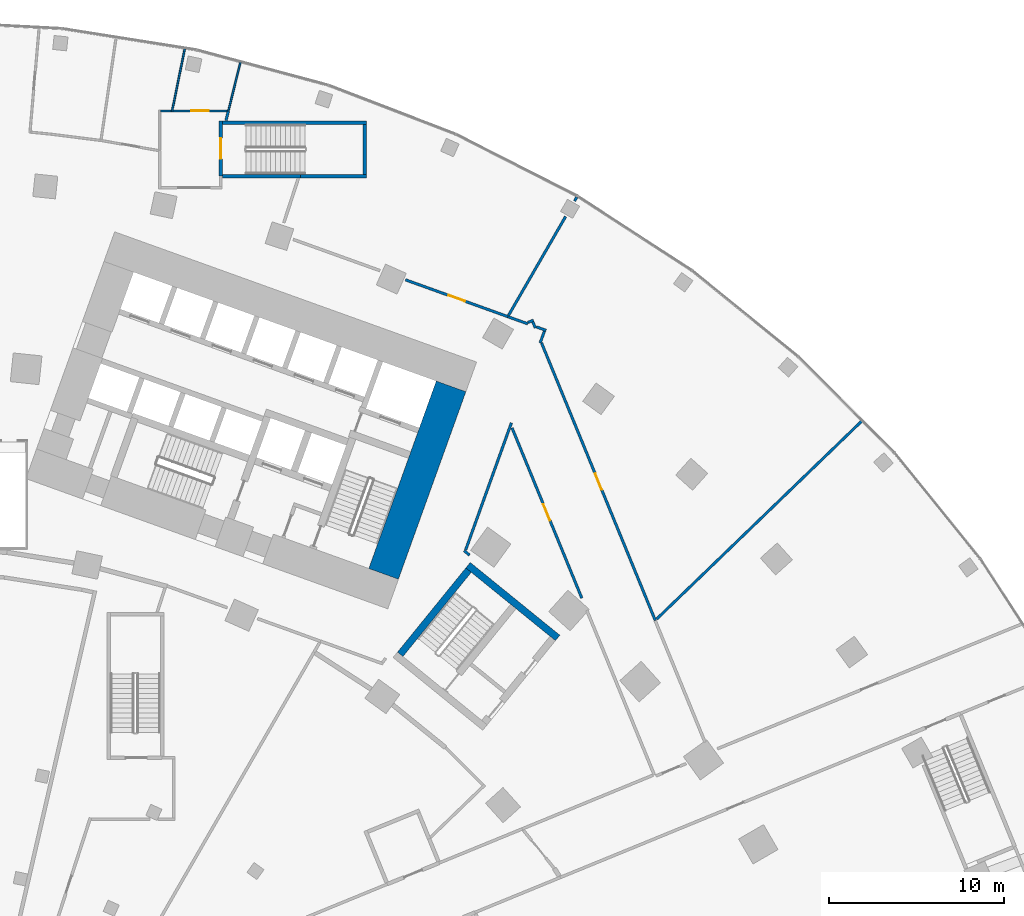
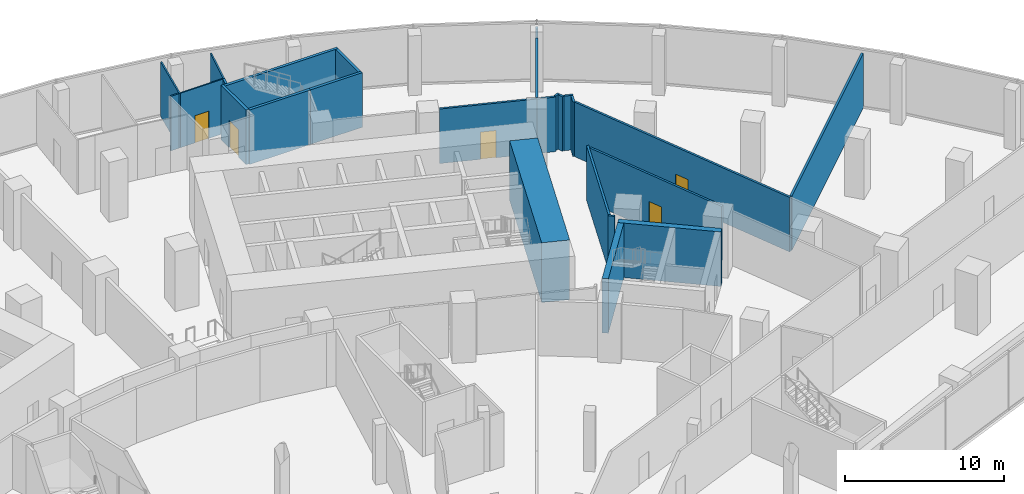
# One storey, part 28 of 40: 26 walls, 5 doors, 5 openings.
"""IFC4 building model written with IfcOpenShell, lengths in metres."""

from ifc_helpers import new_model, si_unit, direction, frame, frame_2d, origin, place, context, subcontext, project, spatial, rectangle, extrude, material, layer, layer_set, type_object, element, fill, save


model = new_model("IFC4")

# Units and contexts
model_context = context("Model", 3, precision=1e-05, world=origin(), true_north=direction((0.0, 1.0)))
body_context = subcontext(model_context, "Body", "Model", "MODEL_VIEW")
ifc_project = project(units=[si_unit("LENGTHUNIT", "METRE"), si_unit("AREAUNIT", "SQUARE_METRE"), si_unit("VOLUMEUNIT", "CUBIC_METRE"), si_unit("PLANEANGLEUNIT", "RADIAN"), si_unit("MASSUNIT", "GRAM", prefix="KILO")], contexts=[model_context])

# Site, building, storey
site_placement = place(None, origin())
site = spatial("IfcSite", under=ifc_project, at=site_placement, CompositionType="ELEMENT")
building_placement = place(site_placement, origin())
building = spatial("IfcBuilding", under=site, at=building_placement, Name="Stone Belt Terrace Tower", CompositionType="ELEMENT")
storey_placement = place(building_placement, frame((0.0, 0.0, 11.60009765625)))
storey = spatial("IfcBuildingStorey", under=building, at=storey_placement, Name="L02", CompositionType="ELEMENT", Elevation=11.60009765625)

# Walls
ifc_material_1 = material(Name="Concrete B80", Category="concrete")
ifc_layer_1 = layer(ifc_material_1, 1.800048828125)
ifc_layer_set_1 = layer_set([ifc_layer_1], Name="Core wall 1800 B80")
wall_type_1 = type_object("IfcWallType", Name="Core wall 1800 B80", PredefinedType="SHEAR", material=ifc_layer_set_1)
wall_1_placement = place(storey_placement, frame((26.197509765625, 42.96728515625, 0.0), z_axis=(0.0, 0.0, 1.0), x_axis=(0.338625431531, 0.940921259788, 0.0)))
element("IfcWall", 1, at=wall_1_placement, inside=storey, type_object=wall_type_1, Name="Core B wall end_b L02", PredefinedType="SHEAR", context=body_context, shape_type="SweptSolid", body=[
    extrude(rectangle(XDim=11.400146484375, YDim=1.800048828125, at=frame_2d((5.7001953125, 0.0))), origin(), (0.0, 0.0, 1.0), 4.599853515625),
])
ifc_material_2 = material(Name="Gypsum board on steel stud partition", Category="steel")
ifc_layer_2 = layer(ifc_material_2, 0.14990234375)
ifc_layer_set_2 = layer_set([ifc_layer_2], Name="Podium partition 150")
wall_type_2 = type_object("IfcWallType", Name="Podium partition 150", PredefinedType="PARTITIONING", material=ifc_layer_set_2)
wall_2_placement = place(storey_placement, frame((17.180419921875, 68.8994140625, 0.0), z_axis=(0.0, 0.0, 1.0), x_axis=(0.245570229012, 0.969378802441, 0.0)))
element("IfcWall", 2, at=wall_2_placement, inside=storey, type_object=wall_type_2, Name="Podium partition 150", PredefinedType="PARTITIONING", context=body_context, shape_type="SweptSolid", body=[
    extrude(rectangle(XDim=0.567626953125, YDim=0.14990234375, at=frame_2d((0.28369140625, 0.0))), origin(), (0.0, 0.0, 1.0), 4.199951171875),
])

# Wall, opening, door
wall_3_placement = place(storey_placement, frame((27.44580078125, 59.7890625, 0.0), z_axis=(0.0, 0.0, 1.0), x_axis=(0.940989746165, -0.338435071487, 0.0)))
wall_3 = element("IfcWall", 3, at=wall_3_placement, inside=storey, type_object=wall_type_2, Name="Podium partition 150", PredefinedType="PARTITIONING", context=body_context, shape_type="SweptSolid", body=[
    extrude(rectangle(XDim=6.23193359375, YDim=0.14990234375, at=frame_2d((3.115966796875, 0.0))), origin(), (0.0, 0.0, 1.0), 4.199951171875),
])
opening_1_placement = place(wall_3_placement, frame((2.615966796875, 0.0, 0.0)))
opening_1 = element("IfcOpeningElement", 4, at=opening_1_placement, cuts=wall_3, Name="Opening L02-P29", PredefinedType="OPENING", context=body_context, shape_type="SweptSolid", body=[
    extrude(rectangle(XDim=1.0, YDim=2.10009765625, at=frame_2d((0.5, 1.050048828125))), frame((0.0, 0.0849609375, 0.0), z_axis=(0.0, -1.0, 0.0), x_axis=(1.0, 0.0, 0.0)), (0.0, 0.0, 1.0), 0.169921875),
])
ifc_material_3 = material(Name="Steel framed door leaf", Category="steel")
door_type_1 = type_object("IfcDoorType", Name="Podium door single 1000", OperationType="SINGLE_SWING_LEFT", PredefinedType="DOOR", material=ifc_material_3)
door_1_placement = place(opening_1_placement, origin())
door_1 = element("IfcDoor", 5, at=door_1_placement, inside=storey, type_object=door_type_1, Name="Podium door single 1000", OperationType="SINGLE_SWING_LEFT", OverallHeight=2.10009765625, OverallWidth=1.0, PredefinedType="DOOR", context=body_context, shape_type="SweptSolid", body=[
    extrude(rectangle(XDim=1.0, YDim=2.10009765625, at=frame_2d((0.5, 1.050048828125))), frame((0.0, 0.02490234375, 0.0), z_axis=(0.0, -1.0, 0.0), x_axis=(1.0, 0.0, 0.0)), (0.0, 0.0, 1.0), 0.050048828125),
])
fill(opening_1, door_1)

# Walls
wall_4_placement = place(storey_placement, frame((30.798828125, 44.301513671875, 0.0), z_axis=(0.0, 0.0, 1.0), x_axis=(0.76570486479, -0.643192086423, 0.0)))
element("IfcWall", 6, at=wall_4_placement, inside=storey, type_object=wall_type_2, Name="Podium partition 150", PredefinedType="PARTITIONING", context=body_context, shape_type="SweptSolid", body=[
    extrude(rectangle(XDim=0.406494140625, YDim=0.14990234375, at=frame_2d((0.203125, 0.0))), origin(), (0.0, 0.0, 1.0), 4.199951171875),
])
wall_5_placement = place(storey_placement, frame((30.893310546875, 44.342041015625, 0.0), z_axis=(0.0, 0.0, 1.0), x_axis=(0.338691469888, 0.940897490817, 0.0)))
element("IfcWall", 7, at=wall_5_placement, inside=storey, type_object=wall_type_2, Name="Podium partition 150", PredefinedType="PARTITIONING", context=body_context, shape_type="SweptSolid", body=[
    extrude(rectangle(XDim=7.719482421875, YDim=0.14990234375, at=frame_2d((3.85986328125, 0.0))), origin(), (0.0, 0.0, 1.0), 4.199951171875),
])
wall_6_placement = place(storey_placement, frame((33.30908203125, 57.6767578125, 0.0), z_axis=(0.0, 0.0, 1.0), x_axis=(0.942129662683, -0.335248711694, 0.0)))
element("IfcWall", 8, at=wall_6_placement, inside=storey, type_object=wall_type_2, Name="Podium partition 150", PredefinedType="PARTITIONING", context=body_context, shape_type="SweptSolid", body=[
    extrude(rectangle(XDim=1.208984375, YDim=0.14990234375, at=frame_2d((0.6044921875, 0.0))), origin(), (0.0, 0.0, 1.0), 4.199951171875),
])
wall_7_placement = place(storey_placement, frame((33.34521484375, 57.75830078125, 0.0), z_axis=(0.0, 0.0, 1.0), x_axis=(0.500090579836, 0.865973101175, 0.0)))
element("IfcWall", 9, at=wall_7_placement, inside=storey, type_object=wall_type_2, Name="Podium partition 150", PredefinedType="PARTITIONING", context=body_context, shape_type="SweptSolid", body=[
    extrude(rectangle(XDim=6.525146484375, YDim=0.14990234375, at=frame_2d((3.2626953125, 0.0))), origin(), (0.0, 0.0, 1.0), 4.199951171875),
])
wall_8_placement = place(storey_placement, frame((37.118408203125, 64.292236328125, 0.0), z_axis=(0.0, 0.0, 1.0), x_axis=(0.5002312107, 0.865891873066, 0.0)))
element("IfcWall", 10, at=wall_8_placement, inside=storey, type_object=wall_type_2, Name="Podium partition 150", PredefinedType="PARTITIONING", context=body_context, shape_type="SweptSolid", body=[
    extrude(rectangle(XDim=0.26318359375, YDim=0.14990234375, at=frame_2d((0.131591796875, 0.0))), origin(), (0.0, 0.0, 1.0), 4.199951171875),
])

# Wall, opening, door
wall_9_placement = place(storey_placement, frame((33.54345703125, 51.320556640625, 0.0), z_axis=(0.0, 0.0, 1.0), x_axis=(0.379280396549, -0.925281784536, 0.0)))
wall_9 = element("IfcWall", 11, at=wall_9_placement, inside=storey, type_object=wall_type_2, Name="Podium partition 150", PredefinedType="PARTITIONING", context=body_context, shape_type="SweptSolid", body=[
    extrude(rectangle(XDim=10.5244140625, YDim=0.14990234375, at=frame_2d((5.26220703125, 0.0))), origin(), (0.0, 0.0, 1.0), 4.199951171875),
])
opening_2_placement = place(wall_9_placement, frame((4.72119140625, 0.0, 0.0)))
opening_2 = element("IfcOpeningElement", 12, at=opening_2_placement, cuts=wall_9, Name="Opening L02-P32", PredefinedType="OPENING", context=body_context, shape_type="SweptSolid", body=[
    extrude(rectangle(XDim=1.0, YDim=2.10009765625, at=frame_2d((0.5, 1.050048828125))), frame((0.0, 0.0849609375, 0.0), z_axis=(0.0, -1.0, 0.0), x_axis=(1.0, 0.0, 0.0)), (0.0, 0.0, 1.0), 0.169921875),
])
door_2_placement = place(opening_2_placement, origin())
door_2 = element("IfcDoor", 13, at=door_2_placement, inside=storey, type_object=door_type_1, Name="Podium door single 1000", OperationType="SINGLE_SWING_RIGHT", OverallHeight=2.10009765625, OverallWidth=1.0, PredefinedType="DOOR", context=body_context, shape_type="SweptSolid", body=[
    extrude(rectangle(XDim=1.0, YDim=2.10009765625, at=frame_2d((0.5, 1.050048828125))), frame((0.0, 0.02490234375, 0.0), z_axis=(0.0, -1.0, 0.0), x_axis=(1.0, 0.0, 0.0)), (0.0, 0.0, 1.0), 0.050048828125),
])
fill(opening_2, door_2)

# Walls
wall_10_placement = place(storey_placement, frame((34.447021484375, 57.3515625, 0.0), z_axis=(0.0, 0.0, 1.0), x_axis=(0.931885652145, 0.3627521624, 0.0)))
element("IfcWall", 14, at=wall_10_placement, inside=storey, type_object=wall_type_2, Name="Podium partition 150", PredefinedType="PARTITIONING", context=body_context, shape_type="SweptSolid", body=[
    extrude(rectangle(XDim=0.3466796875, YDim=0.14990234375, at=frame_2d((0.17333984375, 0.0))), origin(), (0.0, 0.0, 1.0), 4.199951171875),
])
wall_11_placement = place(storey_placement, frame((34.72998046875, 57.381103515625, 0.0), z_axis=(0.0, 0.0, 1.0), x_axis=(0.401395188733, -0.915904963663, 0.0)))
element("IfcWall", 15, at=wall_11_placement, inside=storey, type_object=wall_type_2, Name="Podium partition 150", PredefinedType="PARTITIONING", context=body_context, shape_type="SweptSolid", body=[
    extrude(rectangle(XDim=0.377685546875, YDim=0.14990234375, at=frame_2d((0.18896484375, 0.0))), origin(), (0.0, 0.0, 1.0), 4.199951171875),
])
wall_12_placement = place(storey_placement, frame((34.937255859375, 57.0947265625, 0.0), z_axis=(0.0, 0.0, 1.0), x_axis=(0.940325382073, -0.340276616637, 0.0)))
element("IfcWall", 16, at=wall_12_placement, inside=storey, type_object=wall_type_2, Name="Podium partition 150", PredefinedType="PARTITIONING", context=body_context, shape_type="SweptSolid", body=[
    extrude(rectangle(XDim=0.58837890625, YDim=0.14990234375, at=frame_2d((0.294189453125, 0.0))), origin(), (0.0, 0.0, 1.0), 4.199951171875),
])
wall_13_placement = place(storey_placement, frame((35.152099609375, 56.174560546875, 0.0), z_axis=(0.0, 0.0, 1.0), x_axis=(0.338104492139, 0.941108576305, 0.0)))
element("IfcWall", 17, at=wall_13_placement, inside=storey, type_object=wall_type_2, Name="Podium partition 150", PredefinedType="PARTITIONING", context=body_context, shape_type="SweptSolid", body=[
    extrude(rectangle(XDim=0.717041015625, YDim=0.14990234375, at=frame_2d((0.3583984375, 0.0))), origin(), (0.0, 0.0, 1.0), 4.199951171875),
])

# Wall, opening, door
wall_14_placement = place(storey_placement, frame((35.232421875, 56.176513671875, 0.0), z_axis=(0.0, 0.0, 1.0), x_axis=(0.379264358006, -0.9252883587, 0.0)))
wall_14 = element("IfcWall", 18, at=wall_14_placement, inside=storey, type_object=wall_type_2, Name="Podium partition 150", PredefinedType="PARTITIONING", context=body_context, shape_type="SweptSolid", body=[
    extrude(rectangle(XDim=17.158447265625, YDim=0.14990234375, at=frame_2d((8.5791015625, 0.0))), origin(), (0.0, 0.0, 1.0), 4.199951171875),
])
opening_3_placement = place(wall_14_placement, frame((8.0791015625, 0.0, 0.0)))
opening_3 = element("IfcOpeningElement", 19, at=opening_3_placement, cuts=wall_14, Name="Opening L02-P30", PredefinedType="OPENING", context=body_context, shape_type="SweptSolid", body=[
    extrude(rectangle(XDim=1.0, YDim=2.10009765625, at=frame_2d((0.5, 1.050048828125))), frame((0.0, 0.0849609375, 0.0), z_axis=(0.0, -1.0, 0.0), x_axis=(1.0, 0.0, 0.0)), (0.0, 0.0, 1.0), 0.169921875),
])
door_3_placement = place(opening_3_placement, origin())
door_3 = element("IfcDoor", 20, at=door_3_placement, inside=storey, type_object=door_type_1, Name="Podium door single 1000", OperationType="SINGLE_SWING_RIGHT", OverallHeight=2.10009765625, OverallWidth=1.0, PredefinedType="DOOR", context=body_context, shape_type="SweptSolid", body=[
    extrude(rectangle(XDim=1.0, YDim=2.10009765625, at=frame_2d((0.5, 1.050048828125))), frame((0.0, 0.02490234375, 0.0), z_axis=(0.0, -1.0, 0.0), x_axis=(1.0, 0.0, 0.0)), (0.0, 0.0, 1.0), 0.050048828125),
])
fill(opening_3, door_3)

# Wall
wall_15_placement = place(storey_placement, frame((41.81689453125, 40.3837890625, 0.0), z_axis=(0.0, 0.0, 1.0), x_axis=(0.719496813164, 0.694495742137, 0.0)))
element("IfcWall", 21, at=wall_15_placement, inside=storey, type_object=wall_type_2, Name="Podium partition 150", PredefinedType="PARTITIONING", context=body_context, shape_type="SweptSolid", body=[
    extrude(rectangle(XDim=16.366455078125, YDim=0.14990234375, at=frame_2d((8.18310546875, 0.0))), origin(), (0.0, 0.0, 1.0), 4.199951171875),
])

# Wall, opening, door
ifc_material_4 = material(Name="Concrete B30", Category="concrete")
ifc_layer_3 = layer(ifc_material_4, 0.199951171875)
ifc_layer_set_3 = layer_set([ifc_layer_3], Name="Podium stair and shaft wall 200")
wall_type_3 = type_object("IfcWallType", Name="Podium stair and shaft wall 200", PredefinedType="SOLIDWALL", material=ifc_layer_set_3)
wall_16_placement = place(storey_placement, frame((16.889892578125, 65.719970703125, 0.0), z_axis=(0.0, 0.0, 1.0), x_axis=(0.0, 1.0, 0.0)))
wall_16 = element("IfcWall", 22, at=wall_16_placement, inside=storey, type_object=wall_type_3, Name="Podium stair and shaft wall 200", PredefinedType="SOLIDWALL", context=body_context, shape_type="SweptSolid", body=[
    extrude(rectangle(XDim=3.159912109375, YDim=0.199951171875, at=frame_2d((1.580078125, 0.0))), origin(), (0.0, 0.0, 1.0), 4.199951171875),
])
opening_4_placement = place(wall_16_placement, frame((0.97998046875, 0.0, 0.0)))
opening_4 = element("IfcOpeningElement", 23, at=opening_4_placement, cuts=wall_16, Name="Opening L02-P08", PredefinedType="OPENING", context=body_context, shape_type="SweptSolid", body=[
    extrude(rectangle(XDim=1.199951171875, YDim=2.10009765625, at=frame_2d((0.60009765625, 1.050048828125))), frame((0.0, 0.10986328125, 0.0), z_axis=(0.0, -1.0, 0.0), x_axis=(1.0, 0.0, 0.0)), (0.0, 0.0, 1.0), 0.219970703125),
])
door_type_2 = type_object("IfcDoorType", Name="Podium door fire stair 1200", OperationType="SINGLE_SWING_LEFT", PredefinedType="DOOR", material=ifc_material_3)
door_4_placement = place(opening_4_placement, origin())
door_4 = element("IfcDoor", 24, at=door_4_placement, inside=storey, type_object=door_type_2, Name="Podium door fire stair 1200", OperationType="SINGLE_SWING_RIGHT", OverallHeight=2.10009765625, OverallWidth=1.199951171875, PredefinedType="DOOR", context=body_context, shape_type="SweptSolid", body=[
    extrude(rectangle(XDim=1.199951171875, YDim=2.10009765625, at=frame_2d((0.60009765625, 1.050048828125))), frame((0.0, 0.02490234375, 0.0), z_axis=(0.0, -1.0, 0.0), x_axis=(1.0, 0.0, 0.0)), (0.0, 0.0, 1.0), 0.050048828125),
])
fill(opening_4, door_4)

# Walls
wall_17_placement = place(storey_placement, frame((16.989990234375, 65.719970703125, 0.0), z_axis=(0.0, 0.0, 1.0), x_axis=(1.0, 0.0, 0.0)))
element("IfcWall", 25, at=wall_17_placement, inside=storey, type_object=wall_type_3, Name="Podium stair and shaft wall 200", PredefinedType="SOLIDWALL", context=body_context, shape_type="SweptSolid", body=[
    extrude(rectangle(XDim=4.448974609375, YDim=0.199951171875, at=frame_2d((2.224609375, 0.0))), origin(), (0.0, 0.0, 1.0), 4.199951171875),
])
wall_18_placement = place(storey_placement, frame((16.991943359375, 68.780029296875, 0.0), z_axis=(0.0, 0.0, 1.0), x_axis=(1.0, 0.0, 0.0)))
element("IfcWall", 26, at=wall_18_placement, inside=storey, type_object=wall_type_3, Name="Podium stair and shaft wall 200", PredefinedType="SOLIDWALL", context=body_context, shape_type="SweptSolid", body=[
    extrude(rectangle(XDim=8.218017578125, YDim=0.199951171875, at=frame_2d((4.10888671875, 0.0))), origin(), (0.0, 0.0, 1.0), 4.199951171875),
])
wall_19_placement = place(storey_placement, frame((21.43994140625, 65.719970703125, 0.0), z_axis=(0.0, 0.0, 1.0), x_axis=(1.0, 0.0, 0.0)))
element("IfcWall", 27, at=wall_19_placement, inside=storey, type_object=wall_type_3, Name="Podium stair and shaft wall 200", PredefinedType="SOLIDWALL", context=body_context, shape_type="SweptSolid", body=[
    extrude(rectangle(XDim=3.77001953125, YDim=0.199951171875, at=frame_2d((1.885009765625, 0.0))), origin(), (0.0, 0.0, 1.0), 4.199951171875),
])
wall_20_placement = place(storey_placement, frame((25.110107421875, 65.820068359375, 0.0), z_axis=(0.0, 0.0, 1.0), x_axis=(0.0, 1.0, 0.0)))
element("IfcWall", 28, at=wall_20_placement, inside=storey, type_object=wall_type_3, Name="Podium stair and shaft wall 200", PredefinedType="SOLIDWALL", context=body_context, shape_type="SweptSolid", body=[
    extrude(rectangle(XDim=2.85986328125, YDim=0.199951171875, at=frame_2d((1.429931640625, 0.0))), origin(), (0.0, 0.0, 1.0), 4.199951171875),
])
ifc_material_5 = material(Name="Moisture-resistant board on steel stud partition", Category="steel")
ifc_layer_4 = layer(ifc_material_5, 0.10009765625)
ifc_layer_set_4 = layer_set([ifc_layer_4], Name="Podium toilet partition 100")
wall_type_4 = type_object("IfcWallType", Name="Podium toilet partition 100", PredefinedType="PARTITIONING", material=ifc_layer_set_4)
wall_21_placement = place(storey_placement, frame((13.43994140625, 69.449951171875, 0.0), z_axis=(0.0, 0.0, 1.0), x_axis=(1.0, 0.0, 0.0)))
element("IfcWall", 29, at=wall_21_placement, inside=storey, type_object=wall_type_4, Name="Podium toilet partition 100", PredefinedType="PARTITIONING", context=body_context, shape_type="SweptSolid", body=[
    extrude(rectangle(XDim=0.60009765625, YDim=0.10009765625, at=frame_2d((0.300048828125, 0.0))), origin(), (0.0, 0.0, 1.0), 4.199951171875),
])
wall_22_placement = place(storey_placement, frame((14.08984375, 69.39990234375, 0.0), z_axis=(0.0, 0.0, 1.0), x_axis=(0.199861339094, 0.979824190932, 0.0)))
element("IfcWall", 30, at=wall_22_placement, inside=storey, type_object=wall_type_4, Name="Podium toilet partition 100", PredefinedType="PARTITIONING", context=body_context, shape_type="SweptSolid", body=[
    extrude(rectangle(XDim=3.68408203125, YDim=0.10009765625, at=frame_2d((1.842041015625, 0.0))), origin(), (0.0, 0.0, 1.0), 4.199951171875),
])

# Wall, opening, door
wall_23_placement = place(storey_placement, frame((14.15087890625, 69.449951171875, 0.0), z_axis=(0.0, 0.0, 1.0), x_axis=(1.0, 0.0, 0.0)))
wall_23 = element("IfcWall", 31, at=wall_23_placement, inside=storey, type_object=wall_type_4, Name="Podium toilet partition 100", PredefinedType="PARTITIONING", context=body_context, shape_type="SweptSolid", body=[
    extrude(rectangle(XDim=3.091796875, YDim=0.10009765625, at=frame_2d((1.5458984375, 0.0))), origin(), (0.0, 0.0, 1.0), 4.199951171875),
])
opening_5_placement = place(wall_23_placement, frame((1.0458984375, 0.0, 0.0)))
opening_5 = element("IfcOpeningElement", 32, at=opening_5_placement, cuts=wall_23, Name="Opening L02-P15", PredefinedType="OPENING", context=body_context, shape_type="SweptSolid", body=[
    extrude(rectangle(XDim=1.0, YDim=2.10009765625, at=frame_2d((0.5, 1.050048828125))), frame((0.0, 0.06005859375, 0.0), z_axis=(0.0, -1.0, 0.0), x_axis=(1.0, 0.0, 0.0)), (0.0, 0.0, 1.0), 0.1201171875),
])
door_5_placement = place(opening_5_placement, origin())
door_5 = element("IfcDoor", 33, at=door_5_placement, inside=storey, type_object=door_type_1, Name="Podium door single 1000", OperationType="SINGLE_SWING_LEFT", OverallHeight=2.10009765625, OverallWidth=1.0, PredefinedType="DOOR", context=body_context, shape_type="SweptSolid", body=[
    extrude(rectangle(XDim=1.0, YDim=2.10009765625, at=frame_2d((0.5, 1.050048828125))), frame((0.0, 0.02490234375, 0.0), z_axis=(0.0, -1.0, 0.0), x_axis=(1.0, 0.0, 0.0)), (0.0, 0.0, 1.0), 0.050048828125),
])
fill(opening_5, door_5)

# Walls
wall_24_placement = place(storey_placement, frame((17.320068359375, 69.4501953125, 0.0), z_axis=(0.0, 0.0, 1.0), x_axis=(0.239999230178, 0.97077307828, 0.0)))
element("IfcWall", 34, at=wall_24_placement, inside=storey, type_object=wall_type_4, Name="Podium toilet partition 100", PredefinedType="PARTITIONING", context=body_context, shape_type="SweptSolid", body=[
    extrude(rectangle(XDim=2.922607421875, YDim=0.10009765625, at=frame_2d((1.46142578125, 0.0))), origin(), (0.0, 0.0, 1.0), 4.199951171875),
])
ifc_layer_5 = layer(ifc_material_1, 0.39990234375)
ifc_layer_set_5 = layer_set([ifc_layer_5], Name="Stair enclosure wall 400")
wall_type_5 = type_object("IfcWallType", Name="Stair enclosure wall 400", PredefinedType="SHEAR", material=ifc_layer_set_5)
wall_25_placement = place(storey_placement, frame((31.02783203125, 43.46337890625, 0.0), z_axis=(0.0, 0.0, 1.0), x_axis=(0.776413760801, -0.630223509589, 0.0)))
element("IfcWall", 35, at=wall_25_placement, inside=storey, type_object=wall_type_5, Name="Exit stair ST3B wall", PredefinedType="SHEAR", context=body_context, shape_type="SweptSolid", body=[
    extrude(rectangle(XDim=6.599853515625, YDim=0.39990234375, at=frame_2d((3.2998046875, 0.0))), origin(), (0.0, 0.0, 1.0), 4.199951171875),
])
wall_26_placement = place(storey_placement, frame((27.149658203125, 38.3681640625, 0.0), z_axis=(0.0, 0.0, 1.0), x_axis=(0.630211551729, 0.776423466973, 0.0)))
element("IfcWall", 36, at=wall_26_placement, inside=storey, type_object=wall_type_5, Name="Exit stair ST3B wall", PredefinedType="SHEAR", context=body_context, shape_type="SweptSolid", body=[
    extrude(rectangle(XDim=6.199951171875, YDim=0.39990234375, at=frame_2d((3.10009765625, 0.0))), origin(), (0.0, 0.0, 1.0), 4.199951171875),
])

save(model, "model.ifc")
